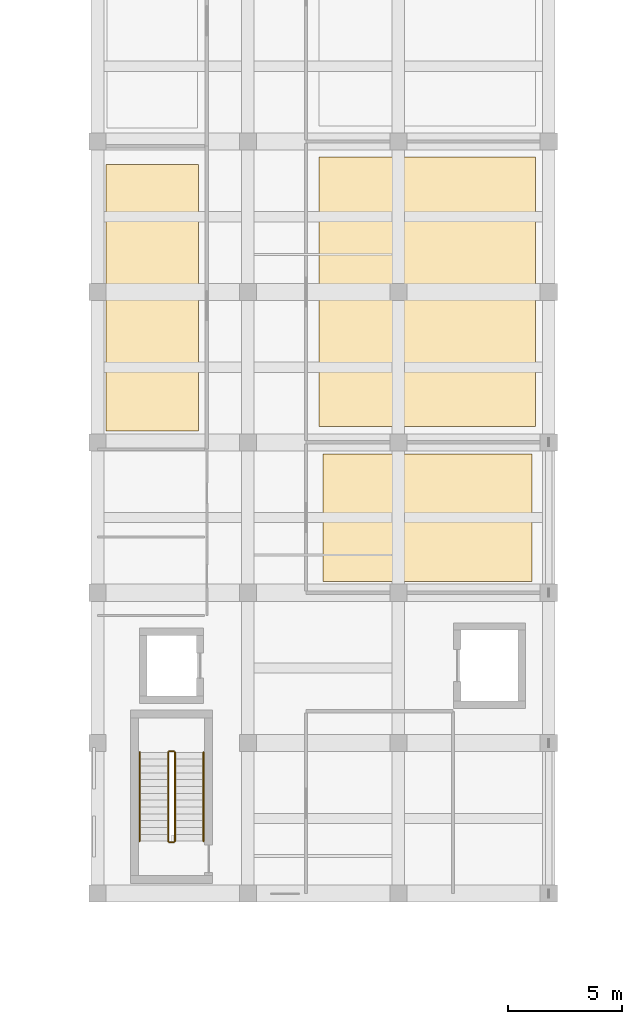
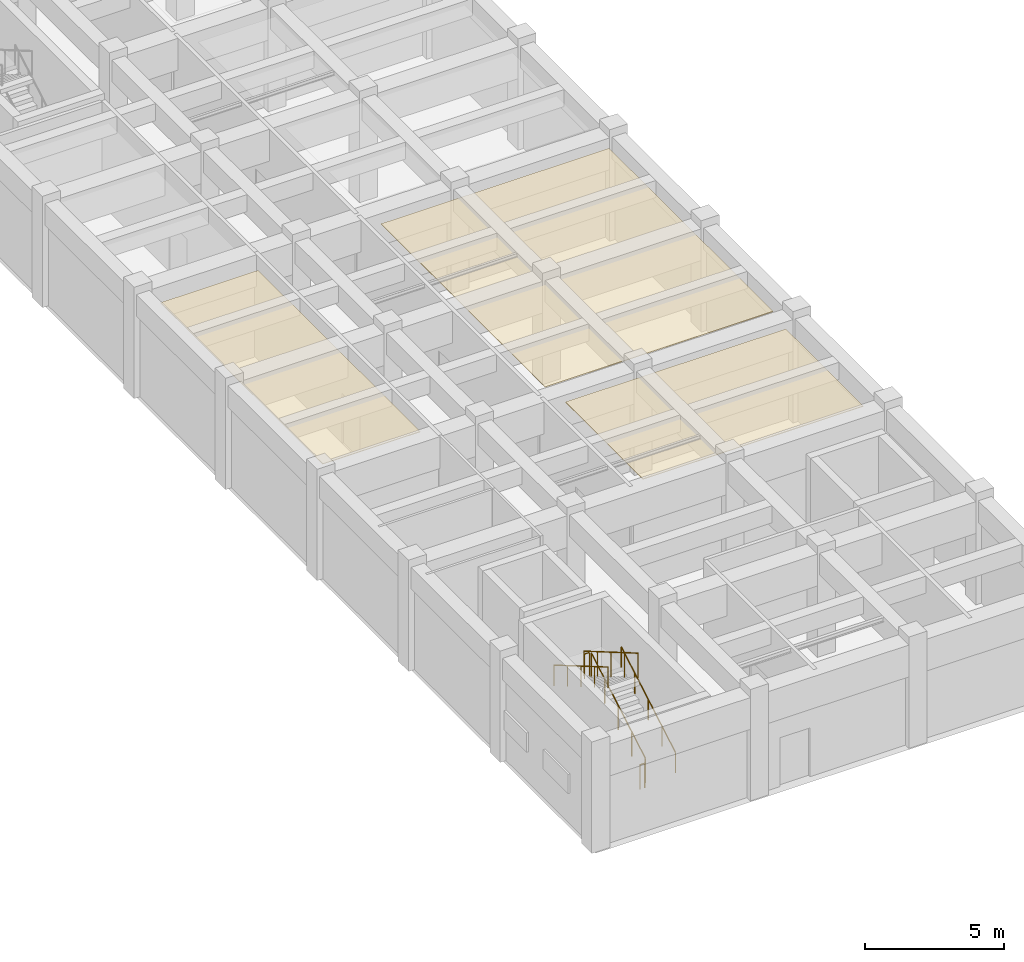
# One storey, part 141 of 144: 6 railings, 3 coverings.
"""IFC4 building model written with IfcOpenShell, lengths in metres."""

from ifc_helpers import new_model, si_unit, direction, frame, origin, origin_2d, place, context, subcontext, project, spatial, polyline, circle, outline, extrude, material, layer, layer_set, type_object, element, save


model = new_model("IFC4")

# Units and contexts
model_context = context("Model", 3, precision=1e-05, world=origin(), true_north=direction((0.0, 1.0)))
body_context = subcontext(model_context, "Body", "Model", "MODEL_VIEW")
ifc_project = project(units=[si_unit("LENGTHUNIT", "METRE"), si_unit("AREAUNIT", "SQUARE_METRE"), si_unit("VOLUMEUNIT", "CUBIC_METRE"), si_unit("PLANEANGLEUNIT", "RADIAN"), si_unit("MASSUNIT", "GRAM", prefix="KILO")], contexts=[model_context])

# Site, building, storey
site_placement = place(None, origin())
site = spatial("IfcSite", under=ifc_project, at=site_placement, CompositionType="ELEMENT")
building_placement = place(site_placement, origin())
building = spatial("IfcBuilding", under=site, at=building_placement, Name="Karori Crest Natural Sciences Institute", CompositionType="ELEMENT")
storey_placement = place(building_placement, origin())
storey = spatial("IfcBuildingStorey", under=building, at=storey_placement, Name="L00", CompositionType="ELEMENT", Elevation=0.0)

# Coverings
ifc_material_1 = material(Name="Acoustic mineral fibre ceiling tile")
ifc_layer = layer(ifc_material_1, 0.02490234375, Name="Acoustic mineral fibre ceiling tile")
ifc_layer_set = layer_set([ifc_layer], Name="Acoustic mineral fibre ceiling tile")
covering_type = type_object("IfcCoveringType", Name="CVT-CEIL", PredefinedType="CEILING", material=ifc_layer_set)
covering_1_placement = place(storey_placement, frame((0.0, 0.0, 4.324951171875)))
element("IfcCovering", 1, at=covering_1_placement, inside=storey, type_object=covering_type, Name="Acoustic ceiling CLG-0016", PredefinedType="CEILING", context=body_context, shape_type="SweptSolid", body=[
    extrude(outline(polyline([(7.76953125, 126.998779296875), (7.76953125, 115.30126953125), (11.830322265625, 115.30126953125), (11.830322265625, 126.998779296875), (7.76953125, 126.998779296875)])), origin(), (0.0, 0.0, 1.0), 0.025146484375),
])
covering_2_placement = place(storey_placement, frame((0.0, 0.0, 4.324951171875)))
element("IfcCovering", 2, at=covering_2_placement, inside=storey, type_object=covering_type, Name="Acoustic ceiling CLG-0019", PredefinedType="CEILING", context=body_context, shape_type="SweptSolid", body=[
    extrude(outline(polyline([(17.28759765625, 114.295654296875), (17.28759765625, 108.704345703125), (26.46240234375, 108.704345703125), (26.46240234375, 114.295654296875), (17.28759765625, 114.295654296875)])), origin(), (0.0, 0.0, 1.0), 0.025146484375),
])
covering_3_placement = place(storey_placement, frame((0.0, 0.0, 4.324951171875)))
element("IfcCovering", 3, at=covering_3_placement, inside=storey, type_object=covering_type, Name="Acoustic ceiling CLG-0020", PredefinedType="CEILING", context=body_context, shape_type="SweptSolid", body=[
    extrude(outline(polyline([(17.128173828125, 127.314208984375), (17.128173828125, 115.48583984375), (26.621826171875, 115.48583984375), (26.621826171875, 127.314208984375), (17.128173828125, 127.314208984375)])), origin(), (0.0, 0.0, 1.0), 0.025146484375),
])

# Railings
ifc_material_2 = material(Name="Stainless steel 316 tubular handrail", Category="steel")
railing_type_1 = type_object("IfcRailingType", Name="RLT-HND", PredefinedType="HANDRAIL", material=ifc_material_2)
railing_1_placement = place(storey_placement, frame((12.050048828125, 97.300048828125, 0.175048828125)))
element("IfcRailing", 4, at=railing_1_placement, inside=storey, type_object=railing_type_1, Name="Stair handrail RL-0237", PredefinedType="HANDRAIL", context=body_context, shape_type="SweptSolid", body=[
    extrude(circle(Radius=0.02392578125, at=origin_2d()), frame((0.0, 0.0, 0.90087890625), z_axis=(0.0, 0.86378282336, 0.503864301244), x_axis=(-1.0, 0.0, 0.0)), (0.0, 0.0, 1.0), 4.514892578125),
    extrude(circle(Radius=0.02099609375, at=origin_2d()), origin(), (0.0, 0.0, 1.0), 0.876953125),
    extrude(circle(Radius=0.02099609375, at=origin_2d()), frame((0.0, 0.97509765625, 0.56884765625)), (0.0, 0.0, 1.0), 0.876953125),
    extrude(circle(Radius=0.02099609375, at=origin_2d()), frame((0.0, 1.949951171875, 1.137451171875)), (0.0, 0.0, 1.0), 0.876953125),
    extrude(circle(Radius=0.02099609375, at=origin_2d()), frame((0.0, 2.9248046875, 1.7060546875)), (0.0, 0.0, 1.0), 0.876953125),
    extrude(circle(Radius=0.02099609375, at=origin_2d()), frame((0.0, 3.89990234375, 2.27490234375)), (0.0, 0.0, 1.0), 0.876953125),
])
railing_2_placement = place(storey_placement, frame((9.25, 101.199951171875, 2.625)))
element("IfcRailing", 5, at=railing_2_placement, inside=storey, type_object=railing_type_1, Name="Stair handrail RL-0238", PredefinedType="HANDRAIL", context=body_context, shape_type="SweptSolid", body=[
    extrude(circle(Radius=0.02392578125, at=origin_2d()), frame((0.0, 0.0, 0.90087890625), z_axis=(0.0, -0.86378282336, 0.503864301244), x_axis=(1.0, 0.0, 0.0)), (0.0, 0.0, 1.0), 4.514892578125),
    extrude(circle(Radius=0.02099609375, at=origin_2d()), origin(), (0.0, 0.0, 1.0), 0.876953125),
    extrude(circle(Radius=0.02099609375, at=origin_2d()), frame((0.0, -0.97509765625, 0.56884765625)), (0.0, 0.0, 1.0), 0.876953125),
    extrude(circle(Radius=0.02099609375, at=origin_2d()), frame((0.0, -1.949951171875, 1.137451171875)), (0.0, 0.0, 1.0), 0.876953125),
    extrude(circle(Radius=0.02099609375, at=origin_2d()), frame((0.0, -2.9248046875, 1.7060546875)), (0.0, 0.0, 1.0), 0.876953125),
    extrude(circle(Radius=0.02099609375, at=origin_2d()), frame((0.0, -3.89990234375, 2.27490234375)), (0.0, 0.0, 1.0), 0.876953125),
])
ifc_material_3 = material(Name="Stainless steel 316 stair guard", Category="steel")
railing_type_2 = type_object("IfcRailingType", Name="RLT-STG", PredefinedType="GUARDRAIL", material=ifc_material_3)
railing_3_placement = place(storey_placement, frame((10.800048828125, 97.300048828125, 0.175048828125)))
element("IfcRailing", 6, at=railing_3_placement, inside=storey, type_object=railing_type_2, Name="Stair guard RL-0233", PredefinedType="GUARDRAIL", context=body_context, shape_type="SweptSolid", body=[
    extrude(circle(Radius=0.02392578125, at=origin_2d()), frame((0.0, 0.0, 1.076171875), z_axis=(0.0, 0.86378282336, 0.503864301244), x_axis=(-1.0, 0.0, 0.0)), (0.0, 0.0, 1.0), 4.514892578125),
    extrude(circle(Radius=0.02099609375, at=origin_2d()), origin(), (0.0, 0.0, 1.0), 1.052001953125),
    extrude(circle(Radius=0.02099609375, at=origin_2d()), frame((0.0, 0.97509765625, 0.56884765625)), (0.0, 0.0, 1.0), 1.052001953125),
    extrude(circle(Radius=0.02099609375, at=origin_2d()), frame((0.0, 1.949951171875, 1.137451171875)), (0.0, 0.0, 1.0), 1.052001953125),
    extrude(circle(Radius=0.02099609375, at=origin_2d()), frame((0.0, 2.9248046875, 1.7060546875)), (0.0, 0.0, 1.0), 1.052001953125),
    extrude(circle(Radius=0.02099609375, at=origin_2d()), frame((0.0, 3.89990234375, 2.27490234375)), (0.0, 0.0, 1.0), 1.052001953125),
])
railing_4_placement = place(storey_placement, frame((10.75, 101.25, 2.449951171875)))
element("IfcRailing", 7, at=railing_4_placement, inside=storey, type_object=railing_type_2, Name="Stair guard RL-0234", PredefinedType="GUARDRAIL", context=body_context, shape_type="SweptSolid", body=[
    extrude(circle(Radius=0.02392578125, at=origin_2d()), frame((0.0, 0.0, 1.076171875), z_axis=(-1.0, 0.0, 0.0), x_axis=(0.0, -1.0, 0.0)), (0.0, 0.0, 1.0), 0.199951171875),
    extrude(circle(Radius=0.02099609375, at=origin_2d()), origin(), (0.0, 0.0, 1.0), 1.052001953125),
    extrude(circle(Radius=0.02099609375, at=origin_2d()), frame((-0.199951171875, 0.0, 0.0)), (0.0, 0.0, 1.0), 1.052001953125),
])
railing_5_placement = place(storey_placement, frame((10.5, 101.199951171875, 2.625)))
element("IfcRailing", 8, at=railing_5_placement, inside=storey, type_object=railing_type_2, Name="Stair guard RL-0235", PredefinedType="GUARDRAIL", context=body_context, shape_type="SweptSolid", body=[
    extrude(circle(Radius=0.02392578125, at=origin_2d()), frame((0.0, 0.0, 1.076171875), z_axis=(0.0, -0.86378282336, 0.503864301244), x_axis=(1.0, 0.0, 0.0)), (0.0, 0.0, 1.0), 4.514892578125),
    extrude(circle(Radius=0.02099609375, at=origin_2d()), origin(), (0.0, 0.0, 1.0), 1.052001953125),
    extrude(circle(Radius=0.02099609375, at=origin_2d()), frame((0.0, -0.97509765625, 0.56884765625)), (0.0, 0.0, 1.0), 1.052001953125),
    extrude(circle(Radius=0.02099609375, at=origin_2d()), frame((0.0, -1.949951171875, 1.137451171875)), (0.0, 0.0, 1.0), 1.052001953125),
    extrude(circle(Radius=0.02099609375, at=origin_2d()), frame((0.0, -2.9248046875, 1.7060546875)), (0.0, 0.0, 1.0), 1.052001953125),
    extrude(circle(Radius=0.02099609375, at=origin_2d()), frame((0.0, -3.89990234375, 2.27490234375)), (0.0, 0.0, 1.0), 1.052001953125),
])
railing_6_placement = place(storey_placement, frame((10.75, 97.25, 0.0)))
element("IfcRailing", 9, at=railing_6_placement, inside=storey, type_object=railing_type_2, Name="Stair guard RL-0236", PredefinedType="GUARDRAIL", context=body_context, shape_type="SweptSolid", body=[
    extrude(circle(Radius=0.02392578125, at=origin_2d()), frame((0.0, 0.0, 1.076171875), z_axis=(-1.0, 0.0, 0.0), x_axis=(0.0, -1.0, 0.0)), (0.0, 0.0, 1.0), 0.199951171875),
    extrude(circle(Radius=0.02099609375, at=origin_2d()), origin(), (0.0, 0.0, 1.0), 1.052001953125),
    extrude(circle(Radius=0.02099609375, at=origin_2d()), frame((-0.199951171875, 0.0, 0.0)), (0.0, 0.0, 1.0), 1.052001953125),
])

save(model, "model.ifc")
